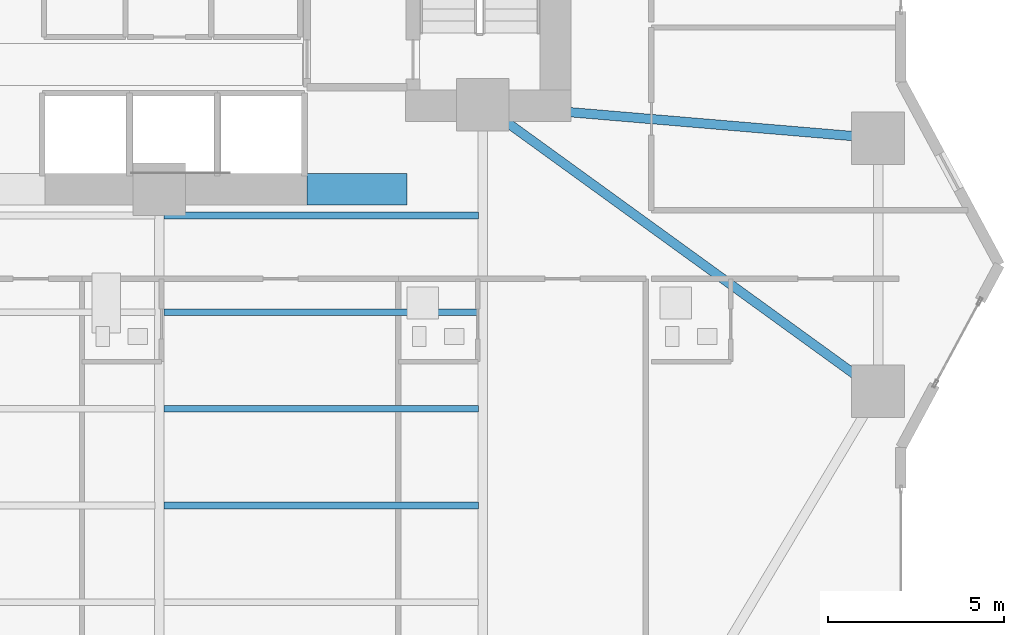
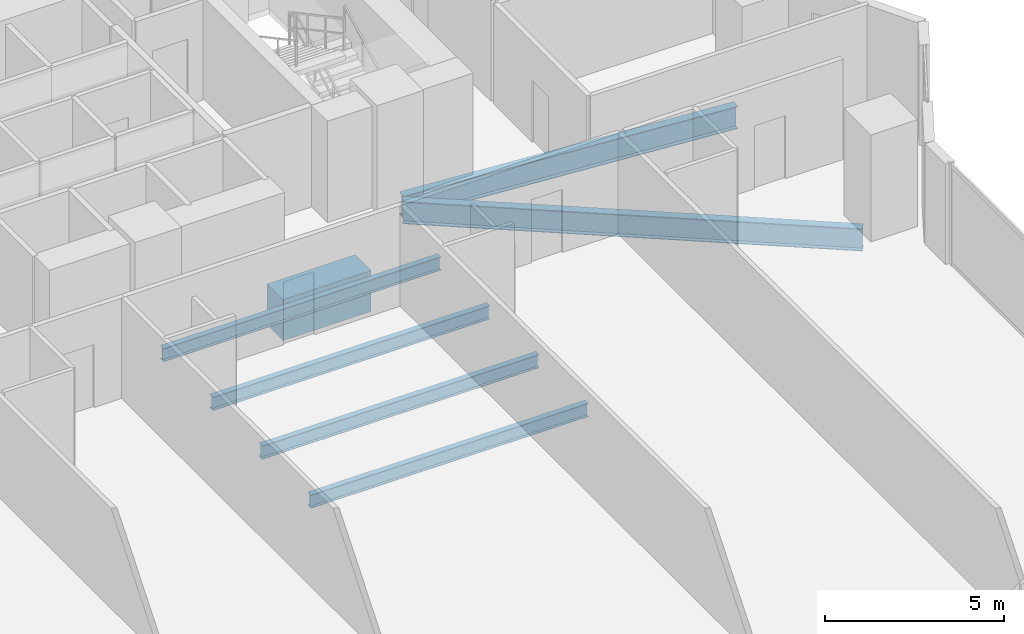
# One storey, part 11 of 29: 7 beams.
"""IFC4 building model written with IfcOpenShell, lengths in metres."""

from ifc_helpers import new_model, si_unit, direction, frame, origin, origin_2d, place, context, subcontext, project, spatial, rectangle, i_section, extrude, material, material_profile, profile_set, type_object, element, save


model = new_model("IFC4")

# Units and contexts
model_context = context("Model", 3, precision=1e-05, world=origin(), true_north=direction((0.0, 1.0)))
body_context = subcontext(model_context, "Body", "Model", "MODEL_VIEW")
ifc_project = project(units=[si_unit("LENGTHUNIT", "METRE"), si_unit("AREAUNIT", "SQUARE_METRE"), si_unit("VOLUMEUNIT", "CUBIC_METRE"), si_unit("PLANEANGLEUNIT", "RADIAN"), si_unit("MASSUNIT", "GRAM", prefix="KILO")], contexts=[model_context])

# Site, building, storey
site_placement = place(None, origin())
site = spatial("IfcSite", under=ifc_project, at=site_placement, CompositionType="ELEMENT")
building_placement = place(site_placement, origin())
building = spatial("IfcBuilding", under=site, at=building_placement, Name="Zuhayl Quay Hotel", CompositionType="ELEMENT")
storey_placement = place(building_placement, frame((0.0, 0.0, 38.550048828125)))
storey = spatial("IfcBuildingStorey", under=building, at=storey_placement, Name="L08", CompositionType="ELEMENT", Elevation=38.550048828125)

# Beams
ifc_material_1 = material(Name="Steel ASTM A992 Grade 50", Category="steel")
ifc_material_profile_1 = material_profile(ifc_material_1, i_section(OverallWidth=0.26708984375, OverallDepth=0.761962890625, WebThickness=0.014404296875, FlangeThickness=0.021484375, at=origin_2d()), Name="W30X116")
ifc_profile_set_1 = profile_set([ifc_material_profile_1], Name="Steel ASTM A992 Grade 50")
beam_type_1 = type_object("IfcBeamType", Name="BM_B1_W30X116", PredefinedType="BEAM", material=ifc_profile_set_1)
beam_1_placement = place(storey_placement, frame((14.164306640625, 4.285888671875, -0.60107421875), z_axis=(0.809830244688, -0.586664277751, 0.0), x_axis=(0.586664277751, 0.809830244688, 0.0)))
element("IfcBeam", 1, at=beam_1_placement, inside=storey, type_object=beam_type_1, Name="L08 Floor Beam FG_E_L08_1", PredefinedType="BEAM", context=body_context, shape_type="SweptSolid", body=[
    extrude(i_section(OverallWidth=0.26708984375, OverallDepth=0.761962890625, WebThickness=0.014404296875, FlangeThickness=0.021484375, at=origin_2d()), origin(), (0.0, 0.0, 1.0), 12.94189453125),
])
beam_2_placement = place(storey_placement, frame((14.248291015625, 4.51220703125, -0.60107421875), z_axis=(0.996453145398, -0.084149444594, 0.0), x_axis=(0.084149444594, 0.996453145398, 0.0)))
element("IfcBeam", 2, at=beam_2_placement, inside=storey, type_object=beam_type_1, Name="L08 Floor Beam FG_E_L08_2", PredefinedType="BEAM", context=body_context, shape_type="SweptSolid", body=[
    extrude(i_section(OverallWidth=0.26708984375, OverallDepth=0.761962890625, WebThickness=0.014404296875, FlangeThickness=0.021484375, at=origin_2d()), origin(), (0.0, 0.0, 1.0), 10.340087890625),
])
ifc_material_2 = material(Name="Concrete C60/75", Category="concrete")
ifc_material_profile_2 = material_profile(ifc_material_2, rectangle(XDim=0.89990234375, YDim=1.39990234375, at=origin_2d()), Name="RC900X1400")
ifc_profile_set_2 = profile_set([ifc_material_profile_2], Name="Concrete C60/75")
beam_type_2 = type_object("IfcBeamType", Name="BM_CB1_RC900", PredefinedType="T_BEAM", material=ifc_profile_set_2)
beam_3_placement = place(storey_placement, frame((8.800048828125, 2.14990234375, -0.920166015625), z_axis=(1.0, 0.0, 0.0), x_axis=(0.0, 1.0, 0.0)))
element("IfcBeam", 3, at=beam_3_placement, inside=storey, type_object=beam_type_2, Name="L08 Core Coupling Beam SE", PredefinedType="T_BEAM", context=body_context, shape_type="SweptSolid", body=[
    extrude(rectangle(XDim=0.89990234375, YDim=1.39990234375, at=origin_2d()), origin(), (0.0, 0.0, 1.0), 2.849853515625),
])
ifc_material_profile_3 = material_profile(ifc_material_1, i_section(OverallWidth=0.18994140625, OverallDepth=0.45703125, WebThickness=0.009033203125, FlangeThickness=0.014404296875, at=origin_2d()), Name="W18X50")
ifc_profile_set_3 = profile_set([ifc_material_profile_3], Name="Steel ASTM A992 Grade 50")
beam_type_3 = type_object("IfcBeamType", Name="BM_J2_W18X50", PredefinedType="JOIST", material=ifc_profile_set_3)
for number, where, z_axis, x_axis, name in (
    (4, (4.7255859375, -6.85009765625, -0.448486328125), (1.0, 0.0, 0.0), (0.0, 1.0, 0.0), "L08 Floor Beam FJ_L08_7_3"),
    (5, (4.7255859375, -4.10009765625, -0.448486328125), (1.0, 0.0, 0.0), (0.0, 1.0, 0.0), "L08 Floor Beam FJ_L08_8_3"),
    (6, (4.7255859375, -1.35009765625, -0.448486328125), (1.0, 0.0, 0.0), (0.0, 1.0, 0.0), "L08 Floor Beam FJ_L08_9_3"),
    (7, (4.7255859375, 1.39990234375, -0.448486328125), (1.0, 0.0, 0.0), (0.0, 1.0, 0.0), "L08 Floor Beam FJ_L08_10_3"),
):
    element("IfcBeam", number, at=place(storey_placement, frame(where, z_axis=z_axis, x_axis=x_axis)), inside=storey, type_object=beam_type_3, Name=name, PredefinedType="JOIST", context=body_context, shape_type="SweptSolid", body=[
        extrude(i_section(OverallWidth=0.18994140625, OverallDepth=0.45703125, WebThickness=0.009033203125, FlangeThickness=0.014404296875, at=origin_2d()), origin(), (0.0, 0.0, 1.0), 8.948974609375),
    ])

save(model, "model.ifc")
